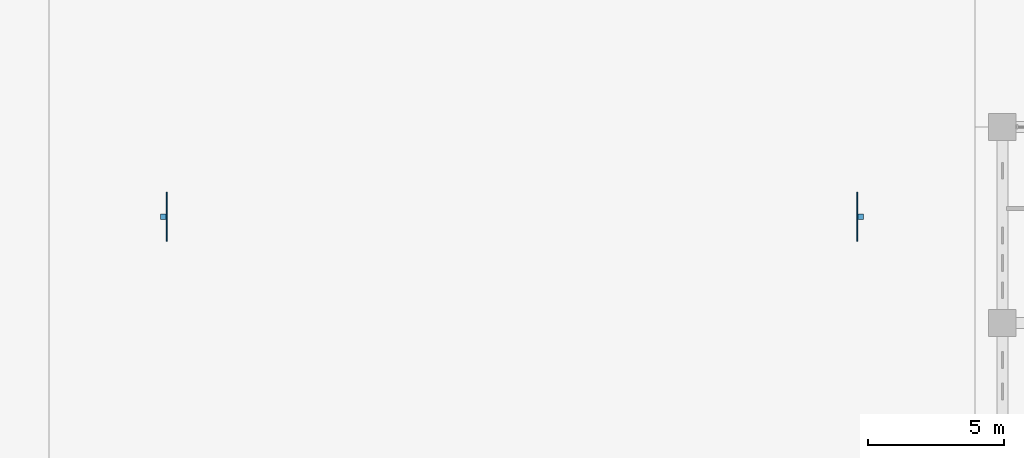
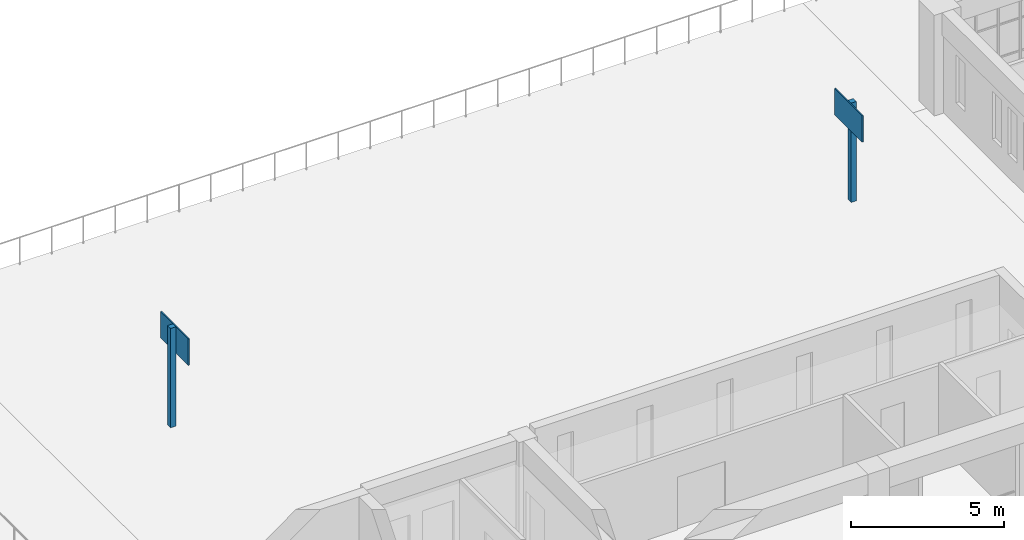
# One storey, part 82 of 101: 4 discrete accessories.
"""IFC4 building model written with IfcOpenShell, lengths in metres."""

import ifcopenshell
import ifcopenshell.guid

model = None  # the IFC model being written
_history = None  # IfcOwnerHistory: only IFC2X3 demands one
_inside = {}  # id of a spatial element -> (the spatial element, [elements in it])
_under = {}  # id of a project, library or spatial element -> (it, [spatial elements below it])
_declared = {}  # id of a project -> (the project, [libraries it declares])
_typed = {}  # id of a type object -> (the type object, [elements of that type])
_made_of = {}  # id of a material, layer set ... -> (it, [elements and type objects made of it])


def new_model(schema):
    """Start an empty IFC model of exactly this schema.

    Asked for "IFC4X3", IfcOpenShell would pick the latest addendum, in which some entities
    have other attributes; the version numbers below select the first issue.
    IFC2X3 requires an IfcOwnerHistory on every rooted entity: one is made here for all.
    """
    global model, _history
    if schema == "IFC4X3":
        model = ifcopenshell.file(schema_version=(4, 3, 0, 0))
    else:
        model = ifcopenshell.file(schema=schema)
    _inside.clear()
    _under.clear()
    _declared.clear()
    _typed.clear()
    _made_of.clear()
    _history = None
    if model.schema == "IFC2X3":
        org = make("IfcOrganization", Name="unknown")
        user = make(
            "IfcPersonAndOrganization",
            ThePerson=make("IfcPerson", FamilyName="unknown"),
            TheOrganization=org,
        )
        app = make(
            "IfcApplication",
            ApplicationDeveloper=org,
            Version="unknown",
            ApplicationFullName="unknown",
            ApplicationIdentifier="unknown",
        )
        _history = make(
            "IfcOwnerHistory",
            OwningUser=user,
            OwningApplication=app,
            ChangeAction="ADDED",
            CreationDate=0,
        )
    return model


def make(cls, **values):
    """One entity of the class cls with the attributes given. An attribute that is None is left unset."""
    return model.create_entity(
        cls, **{name: value for name, value in values.items() if value is not None}
    )


def rooted(cls, **values):
    """An entity with a GlobalId (a new one), such as an element, a storey or a relation."""
    return make(cls, GlobalId=ifcopenshell.guid.new(), OwnerHistory=_history, **values)


def si_unit(unit_type, name, prefix=None):
    """IfcSIUnit, for example si_unit("LENGTHUNIT", "METRE", prefix="MILLI")."""
    return make("IfcSIUnit", UnitType=unit_type, Prefix=prefix, Name=name)


def assignment(units):
    """IfcUnitAssignment: the units of a project."""
    return None if units is None else make("IfcUnitAssignment", Units=units)


def point(xyz):
    """IfcCartesianPoint."""
    return None if xyz is None else make("IfcCartesianPoint", Coordinates=xyz)


def direction(xyz):
    """IfcDirection."""
    return None if xyz is None else make("IfcDirection", DirectionRatios=xyz)


def frame(location, z_axis=None, x_axis=None):
    """IfcAxis2Placement3D, a coordinate frame: its origin and axes. An axis left out is left unset."""
    return make(
        "IfcAxis2Placement3D",
        Location=point(location),
        Axis=direction(z_axis),
        RefDirection=direction(x_axis),
    )


def frame_2d(location, x_axis=None):
    """IfcAxis2Placement2D, a coordinate frame in the plane: its origin and x axis."""
    return make(
        "IfcAxis2Placement2D", Location=point(location), RefDirection=direction(x_axis)
    )


def origin():
    """The frame at (0, 0, 0) with its axes left unset."""
    return frame((0.0, 0.0, 0.0))


def origin_2d():
    """The frame at (0, 0) in the plane with its x axis left unset."""
    return frame_2d((0.0, 0.0))


def place(relative_to, where):
    """IfcLocalPlacement: puts the frame where relative to a parent placement (None: the world)."""
    return make(
        "IfcLocalPlacement", PlacementRelTo=relative_to, RelativePlacement=where
    )


def context(
    kind, dimensions, precision=None, world=None, true_north=None, identifier=None
):
    """IfcGeometricRepresentationContext, for example the 3D "Model" context."""
    return make(
        "IfcGeometricRepresentationContext",
        ContextIdentifier=identifier,
        ContextType=kind,
        CoordinateSpaceDimension=dimensions,
        Precision=precision,
        WorldCoordinateSystem=world,
        TrueNorth=true_north,
    )


def subcontext(parent, identifier, kind, view, scale=None):
    """IfcGeometricRepresentationSubContext, for example "Body" below "Model"."""
    return make(
        "IfcGeometricRepresentationSubContext",
        ContextIdentifier=identifier,
        ContextType=kind,
        ParentContext=parent,
        TargetScale=scale,
        TargetView=view,
    )


def project(units=None, contexts=None):
    """IfcProject with its units and contexts."""
    return rooted(
        "IfcProject",
        Name="project",
        RepresentationContexts=contexts,
        UnitsInContext=assignment(units),
    )


def spatial(cls, under=None, at=None, **own):
    """A site, building, storey or space (cls), placed at a placement, below another one or the project."""
    s = rooted(cls, ObjectPlacement=at, **own)
    if under is not None:
        _under.setdefault(under.id(), (under, []))[1].append(s)
    return s


def profile(cls, at=None, kind="AREA", **sizes):
    """A parametric profile (cls). Its sizes go by their IFC names, for example OverallWidth=200.0."""
    return make(cls, ProfileType=kind, Position=at, **sizes)


def rectangle(**sizes):
    """IfcRectangleProfileDef."""
    return profile("IfcRectangleProfileDef", **sizes)


def extrude(swept, where, along, depth):
    """IfcExtrudedAreaSolid: the profile swept, set in the frame where, extruded along a direction by depth."""
    return make(
        "IfcExtrudedAreaSolid",
        SweptArea=swept,
        Position=where,
        ExtrudedDirection=direction(along),
        Depth=depth,
    )


def shape(context_of_items, identifier, shape_type, items):
    """IfcShapeRepresentation: the items that make up one representation, for example the "Body"."""
    return make(
        "IfcShapeRepresentation",
        ContextOfItems=context_of_items,
        RepresentationIdentifier=identifier,
        RepresentationType=shape_type,
        Items=items,
    )


def material(Name=None, Category=None):
    """IfcMaterial."""
    return make("IfcMaterial", Name=Name, Category=Category)


def made_of(thing, what):
    """Note that an element or type object is made of a material, layer set ...; save() writes the relation."""
    if what is not None:
        _made_of.setdefault(what.id(), (what, []))[1].append(thing)
    return thing


def type_object(cls, material=None, **own):
    """A type object (cls), such as IfcWallType, which elements share."""
    return made_of(rooted(cls, **own), material)


def element(
    cls,
    number,
    at=None,
    inside=None,
    cuts=None,
    type_object=None,
    material=None,
    context=None,
    identifier="Body",
    shape_type=None,
    held_by="IfcProductDefinitionShape",
    body=None,
    shapes=None,
    **own,
):
    """One element of the class cls, such as IfcWall. Its Tag is "e" and its number.

    at: its placement. inside: the storey or other place that contains it. cuts: it is an
    opening in that element (IfcRelVoidsElement). A single representation is given by context,
    identifier, shape_type and body (its items); several are given by shapes. held_by: the class
    of the entity that holds the representations. save() writes the other relations.
    """
    e = rooted(cls, Tag="e%d" % number, ObjectPlacement=at, **own)
    if body is not None:
        shapes = [shape(context, identifier, shape_type, body)]
    if shapes is not None:
        e.Representation = make(held_by, Representations=shapes)
    if inside is not None:
        _inside.setdefault(inside.id(), (inside, []))[1].append(e)
    if cuts is not None:
        rooted(
            "IfcRelVoidsElement", RelatingBuildingElement=cuts, RelatedOpeningElement=e
        )
    if type_object is not None:
        _typed.setdefault(type_object.id(), (type_object, []))[1].append(e)
    return made_of(e, material)


def aggregate(whole, parts):
    """IfcRelAggregates: a whole, such as a stair, and the parts it consists of."""
    return rooted("IfcRelAggregates", RelatingObject=whole, RelatedObjects=parts)


def save(model, path):
    """Write the relations noted so far, then the file.

    IfcRelAggregates (storeys below a building ...), IfcRelContainedInSpatialStructure (elements
    in a storey), IfcRelDefinesByType, IfcRelAssociatesMaterial and IfcRelDeclares: one each for
    every whole, place, type object, material and project.
    """
    for whole, parts in _under.values():
        aggregate(whole, parts)
    for where, things in _inside.values():
        rooted(
            "IfcRelContainedInSpatialStructure",
            RelatedElements=things,
            RelatingStructure=where,
        )
    for kind, things in _typed.values():
        rooted("IfcRelDefinesByType", RelatedObjects=things, RelatingType=kind)
    for what, things in _made_of.values():
        rooted("IfcRelAssociatesMaterial", RelatedObjects=things, RelatingMaterial=what)
    for by, libraries in _declared.values():
        rooted("IfcRelDeclares", RelatingContext=by, RelatedDefinitions=libraries)
    model.write(path)


model = new_model("IFC4")

# Units and contexts
model_context = context("Model", 3, precision=1e-05, world=origin(), true_north=direction((0.0, 1.0)))
body_context = subcontext(model_context, "Body", "Model", "MODEL_VIEW")
ifc_project = project(units=[si_unit("LENGTHUNIT", "METRE"), si_unit("AREAUNIT", "SQUARE_METRE"), si_unit("VOLUMEUNIT", "CUBIC_METRE"), si_unit("PLANEANGLEUNIT", "RADIAN"), si_unit("MASSUNIT", "GRAM", prefix="KILO")], contexts=[model_context])

# Site, building, storey
site_placement = place(None, origin())
site = spatial("IfcSite", under=ifc_project, at=site_placement, CompositionType="ELEMENT")
building_placement = place(site_placement, origin())
building = spatial("IfcBuilding", under=site, at=building_placement, Name="Laocheng Heights Fire and Rescue Headquarters", CompositionType="ELEMENT")
storey_placement = place(building_placement, frame((0.0, 0.0, 8.39990234375)))
storey = spatial("IfcBuildingStorey", under=building, at=storey_placement, Name="L02", CompositionType="ELEMENT", Elevation=8.39990234375)

# Discrete accessories
ifc_material_1 = material(Name="Toughened glass backboard in steel frame", Category="steel")
discrete_accessory_type_1 = type_object("IfcDiscreteAccessoryType", Name="BASKETBALL BACKBOARD 1800x1050", PredefinedType="USERDEFINED", material=ifc_material_1)
for number, where, z_axis, x_axis, name in (
    (1, (5.324951171875, 68.699951171875, 2.89990234375), (0.0, 0.0, 1.0), (1.0, 0.0, 0.0), "Basketball hoop 1 backboard"),
    (2, (30.675048828125, 68.699951171875, 2.89990234375), (0.0, 0.0, 1.0), (1.0, 0.0, 0.0), "Basketball hoop 2 backboard"),
):
    element("IfcDiscreteAccessory", number, at=place(storey_placement, frame(where, z_axis=z_axis, x_axis=x_axis)), inside=storey, type_object=discrete_accessory_type_1, Name=name, ObjectType="BASKETBALL HOOP", PredefinedType="USERDEFINED", context=body_context, shape_type="SweptSolid", body=[
        extrude(rectangle(XDim=0.050048828125, YDim=1.800048828125, at=origin_2d()), origin(), (0.0, 0.0, 1.0), 1.050048828125),
    ])
ifc_material_2 = material(Name="Steel Q355B, dark grey painted", Category="steel")
discrete_accessory_type_2 = type_object("IfcDiscreteAccessoryType", Name="BASKETBALL HOOP POST RHS 200x200", PredefinedType="USERDEFINED", material=ifc_material_2)
for number, where, z_axis, x_axis, name in (
    (3, (5.199951171875, 68.699951171875, 0.0), (0.0, 0.0, 1.0), (1.0, 0.0, 0.0), "Basketball hoop 1 post"),
    (4, (30.800048828125, 68.699951171875, 0.0), (0.0, 0.0, 1.0), (1.0, 0.0, 0.0), "Basketball hoop 2 post"),
):
    element("IfcDiscreteAccessory", number, at=place(storey_placement, frame(where, z_axis=z_axis, x_axis=x_axis)), inside=storey, type_object=discrete_accessory_type_2, Name=name, ObjectType="BASKETBALL HOOP", PredefinedType="USERDEFINED", context=body_context, shape_type="SweptSolid", body=[
        extrude(rectangle(XDim=0.199951171875, YDim=0.199951171875, at=origin_2d()), origin(), (0.0, 0.0, 1.0), 3.949951171875),
    ])

save(model, "model.ifc")
